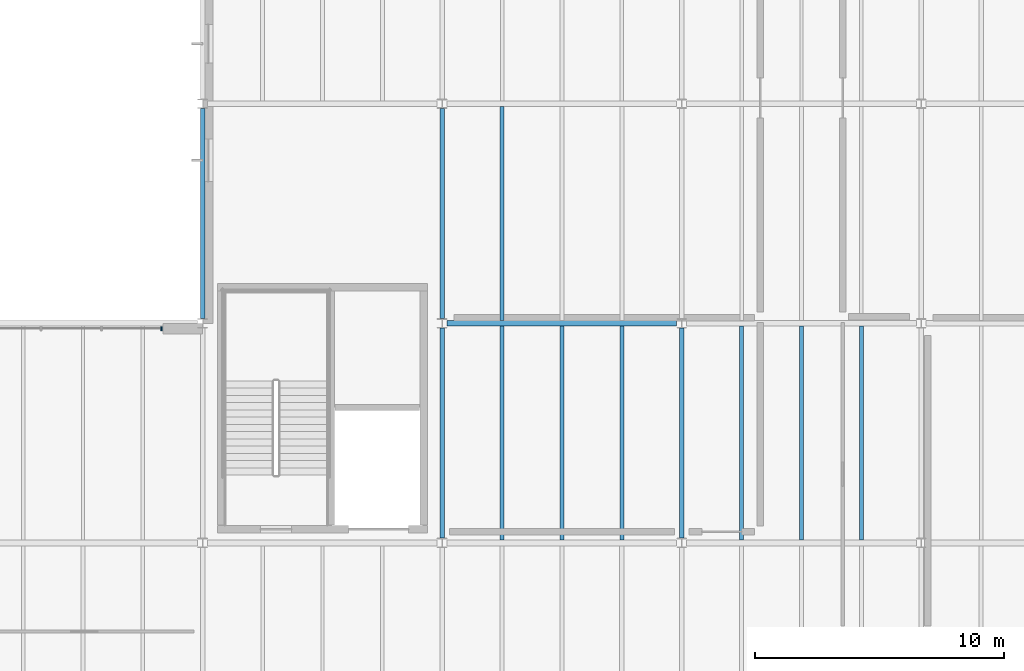
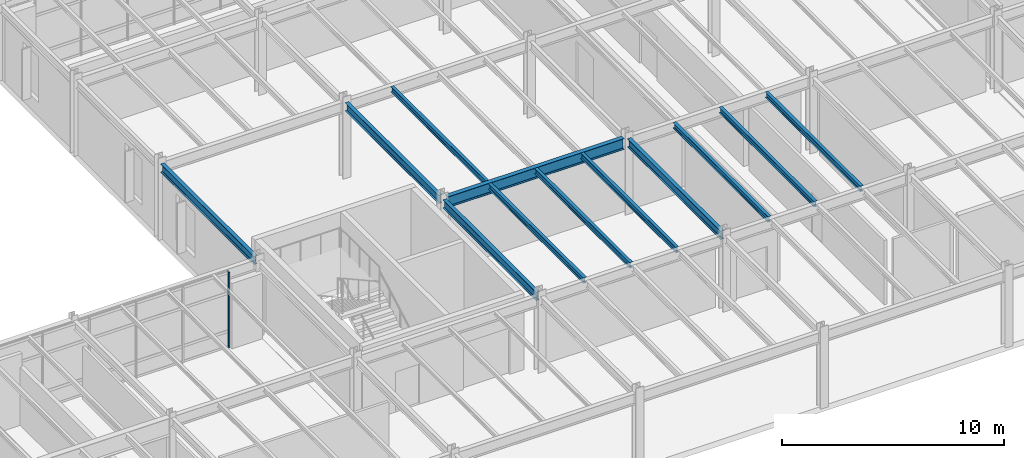
# One storey, part 33 of 77: 12 beams, 1 member, 1 element without a shape of its own.
"""IFC4 building model written with IfcOpenShell, lengths in metres."""

from ifc_helpers import new_model, si_unit, direction, frame, origin, origin_2d, place, context, subcontext, project, spatial, rectangle, i_section, extrude, material, material_profile, profile_set, type_object, element, aggregate, save


model = new_model("IFC4")

# Units and contexts
model_context = context("Model", 3, precision=1e-05, world=origin(), true_north=direction((0.0, 1.0)))
body_context = subcontext(model_context, "Body", "Model", "MODEL_VIEW")
ifc_project = project(units=[si_unit("LENGTHUNIT", "METRE"), si_unit("AREAUNIT", "SQUARE_METRE"), si_unit("VOLUMEUNIT", "CUBIC_METRE"), si_unit("PLANEANGLEUNIT", "RADIAN"), si_unit("MASSUNIT", "GRAM", prefix="KILO")], contexts=[model_context])

# Site, building, storey
site_placement = place(None, origin())
site = spatial("IfcSite", under=ifc_project, at=site_placement, CompositionType="ELEMENT")
building_placement = place(site_placement, origin())
building = spatial("IfcBuilding", under=site, at=building_placement, Name="Sarnbrook Museum", CompositionType="ELEMENT")
storey_placement = place(building_placement, frame((0.0, 0.0, 5.60009765625)))
storey = spatial("IfcBuildingStorey", under=building, at=storey_placement, Name="L01", CompositionType="ELEMENT", Elevation=5.60009765625)

# Beams
ifc_material_1 = material(Name="Structural Steel Grade 300PLUS (AS/NZS 3679.1, fy = 280 MPa for 17 < t <= 40 mm, 300 MPa for t <= 17 mm)", Category="steel")
ifc_material_profile_1 = material_profile(ifc_material_1, i_section(OverallWidth=0.18994140625, OverallDepth=0.45703125, WebThickness=0.009033203125, FlangeThickness=0.014404296875, FilletRadius=0.011474609375, at=origin_2d()), Name="460UB74.6")
ifc_profile_set_1 = profile_set([ifc_material_profile_1], Name="Structural Steel Grade 300PLUS (AS/NZS 3679.1, fy = 280 MPa for 17 < t <= 40 mm, 300 MPa for t <= 17 mm)")
beam_type_1 = type_object("IfcBeamType", Name="BM-UB460", PredefinedType="BEAM", material=ifc_profile_set_1)
for number, where, z_axis, x_axis, name in (
    (1, (42.39990234375, 92.19091796875, 3.951416015625), (0.0, 1.0, 0.0), (-1.0, 0.0, 0.0), "Girder 5:L-M L01"),
    (2, (52.0, 83.39111328125, 3.951416015625), (0.0, 1.0, 0.0), (-1.0, 0.0, 0.0), "Girder 6:K-L L01"),
    (3, (52.0, 92.19091796875, 3.951416015625), (0.0, 1.0, 0.0), (-1.0, 0.0, 0.0), "Girder 6:L-M L01"),
    (4, (61.60009765625, 83.39111328125, 3.951416015625), (0.0, 1.0, 0.0), (-1.0, 0.0, 0.0), "Girder 7:K-L L01"),
):
    element("IfcBeam", number, at=place(storey_placement, frame(where, z_axis=z_axis, x_axis=x_axis)), inside=storey, type_object=beam_type_1, Name=name, PredefinedType="BEAM", context=body_context, shape_type="SweptSolid", body=[
        extrude(i_section(OverallWidth=0.18994140625, OverallDepth=0.45703125, WebThickness=0.009033203125, FlangeThickness=0.014404296875, FilletRadius=0.011474609375, at=origin_2d()), origin(), (0.0, 0.0, 1.0), 8.41796875),
    ])
ifc_material_profile_2 = material_profile(ifc_material_1, i_section(OverallWidth=0.22802734375, OverallDepth=0.60693359375, WebThickness=0.01123046875, FlangeThickness=0.017333984375, FilletRadius=0.013916015625, at=origin_2d()), Name="610UB113")
ifc_profile_set_2 = profile_set([ifc_material_profile_2], Name="Structural Steel Grade 300PLUS (AS/NZS 3679.1, fy = 280 MPa for 17 < t <= 40 mm, 300 MPa for t <= 17 mm)")
beam_type_2 = type_object("IfcBeamType", Name="BM-UB610", PredefinedType="BEAM", material=ifc_profile_set_2)
beam_placement = place(storey_placement, frame((52.199951171875, 92.0, 3.87646484375), z_axis=(1.0, 0.0, 0.0), x_axis=(0.0, 1.0, 0.0)))
element("IfcBeam", 5, at=beam_placement, inside=storey, type_object=beam_type_2, Name="Girder L:6-7 L01", PredefinedType="BEAM", context=body_context, shape_type="SweptSolid", body=[
    extrude(i_section(OverallWidth=0.22802734375, OverallDepth=0.60693359375, WebThickness=0.01123046875, FlangeThickness=0.017333984375, FilletRadius=0.013916015625, at=origin_2d()), origin(), (0.0, 0.0, 1.0), 9.199951171875),
])

# Curtain wall, member
ifc_material_2 = material(Name="Thermally Broken Anodised Aluminium 6063-T6", Category="aluminium")
curtain_wall_type = type_object("IfcCurtainWallType", Name="CurtainWall_GalleryRibbon", PredefinedType="NOTDEFINED", material=ifc_material_2)
curtain_wall_placement = place(storey_placement, origin())
curtain_wall = element("IfcCurtainWall", 6, at=curtain_wall_placement, inside=storey, type_object=curtain_wall_type, Name="Gallery Ribbon Curtain Wall L01-10.1", PredefinedType="NOTDEFINED")
ifc_material_profile_3 = material_profile(ifc_material_2, rectangle(XDim=0.06005859375, YDim=0.159912109375, at=origin_2d()), Name="ALU MULLION 60x160")
ifc_profile_set_3 = profile_set([ifc_material_profile_3], Name="Thermally Broken Anodised Aluminium 6063-T6")
member_type = type_object("IfcMemberType", Name="CW_Mullion_150x65", PredefinedType="MULLION", material=ifc_profile_set_3)
member_placement = place(storey_placement, frame((40.739990234375, 91.7900390625, 0.0), z_axis=(0.0, 0.0, 1.0), x_axis=(1.0, 0.0, 0.0)))
member = element("IfcMember", 7, at=member_placement, type_object=member_type, Name="Gallery Ribbon Curtain Wall L01-10.1 Mullion 1", PredefinedType="MULLION", context=body_context, shape_type="SweptSolid", body=[
    extrude(rectangle(XDim=0.06005859375, YDim=0.159912109375, at=origin_2d()), origin(), (0.0, 0.0, 1.0), 4.159912109375),
])
aggregate(curtain_wall, [member])

# Beams
ifc_material_profile_4 = material_profile(ifc_material_1, i_section(OverallWidth=0.1650390625, OverallDepth=0.303955078125, WebThickness=0.006103515625, FlangeThickness=0.01025390625, FilletRadius=0.011474609375, at=origin_2d()), Name="310UB40.4")
ifc_profile_set_4 = profile_set([ifc_material_profile_4], Name="Structural Steel Grade 300PLUS (AS/NZS 3679.1, fy = 280 MPa for 17 < t <= 40 mm, 300 MPa for t <= 17 mm)")
beam_type_3 = type_object("IfcBeamType", Name="JS-UB310", PredefinedType="JOIST", material=ifc_profile_set_4)
for number, where, z_axis, x_axis, name in (
    (8, (54.39990234375, 92.114013671875, 4.02783203125), (0.0, 1.0, 0.0), (-1.0, 0.0, 0.0), "Composite Floor Joist 6L-1 L01"),
    (9, (64.0, 83.31396484375, 4.02783203125), (0.0, 1.0, 0.0), (-1.0, 0.0, 0.0), "Composite Floor Joist 7K-1 L01"),
    (10, (66.39990234375, 83.31396484375, 4.02783203125), (0.0, 1.0, 0.0), (-1.0, 0.0, 0.0), "Composite Floor Joist 7K-2 L01"),
    (11, (68.800048828125, 83.31396484375, 4.02783203125), (0.0, 1.0, 0.0), (-1.0, 0.0, 0.0), "Composite Floor Joist 7K-3 L01"),
):
    element("IfcBeam", number, at=place(storey_placement, frame(where, z_axis=z_axis, x_axis=x_axis)), inside=storey, type_object=beam_type_3, Name=name, PredefinedType="JOIST", context=body_context, shape_type="SweptSolid", body=[
        extrude(i_section(OverallWidth=0.1650390625, OverallDepth=0.303955078125, WebThickness=0.006103515625, FlangeThickness=0.01025390625, FilletRadius=0.011474609375, at=origin_2d()), origin(), (0.0, 0.0, 1.0), 8.572021484375),
    ])
ifc_material_profile_5 = material_profile(ifc_material_1, i_section(OverallWidth=0.166015625, OverallDepth=0.306884765625, WebThickness=0.006591796875, FlangeThickness=0.01171875, FilletRadius=0.011474609375, at=origin_2d()), Name="310UB46.2")
ifc_profile_set_5 = profile_set([ifc_material_profile_5], Name="Structural Steel Grade 300PLUS (AS/NZS 3679.1, fy = 280 MPa for 17 < t <= 40 mm, 300 MPa for t <= 17 mm)")
beam_type_4 = type_object("IfcBeamType", Name="JS-UB310H", PredefinedType="JOIST", material=ifc_profile_set_5)
for number, where, z_axis, x_axis, name in (
    (12, (54.39990234375, 83.31396484375, 4.0263671875), (0.0, 1.0, 0.0), (-1.0, 0.0, 0.0), "Composite Floor Joist 6K-1 L01"),
    (13, (56.800048828125, 83.31396484375, 4.0263671875), (0.0, 1.0, 0.0), (-1.0, 0.0, 0.0), "Composite Floor Joist 6K-2 L01"),
    (14, (59.199951171875, 83.31396484375, 4.0263671875), (0.0, 1.0, 0.0), (-1.0, 0.0, 0.0), "Composite Floor Joist 6K-3 L01"),
):
    element("IfcBeam", number, at=place(storey_placement, frame(where, z_axis=z_axis, x_axis=x_axis)), inside=storey, type_object=beam_type_4, Name=name, PredefinedType="JOIST", context=body_context, shape_type="SweptSolid", body=[
        extrude(i_section(OverallWidth=0.166015625, OverallDepth=0.306884765625, WebThickness=0.006591796875, FlangeThickness=0.01171875, FilletRadius=0.011474609375, at=origin_2d()), origin(), (0.0, 0.0, 1.0), 8.572021484375),
    ])

save(model, "model.ifc")
